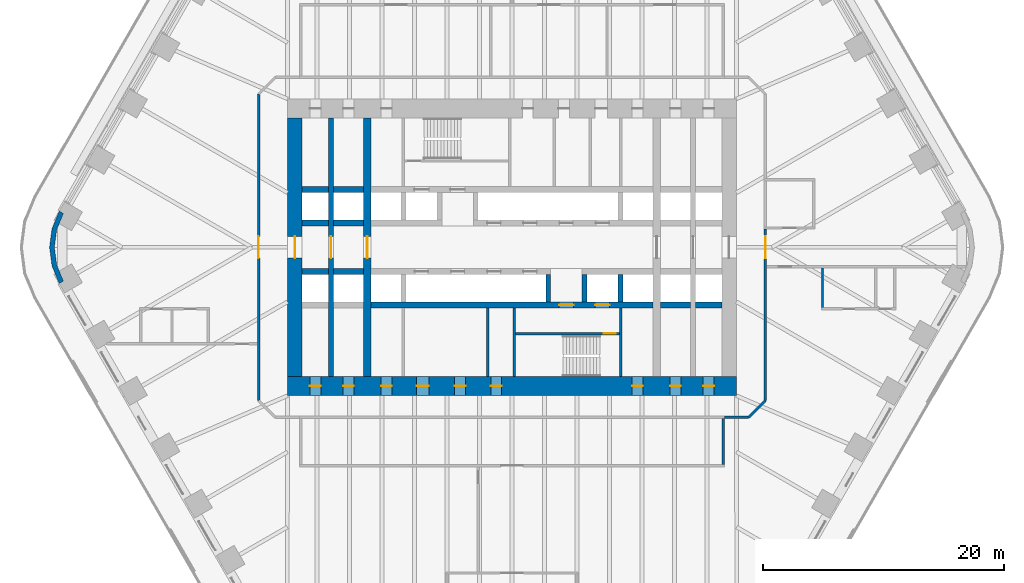
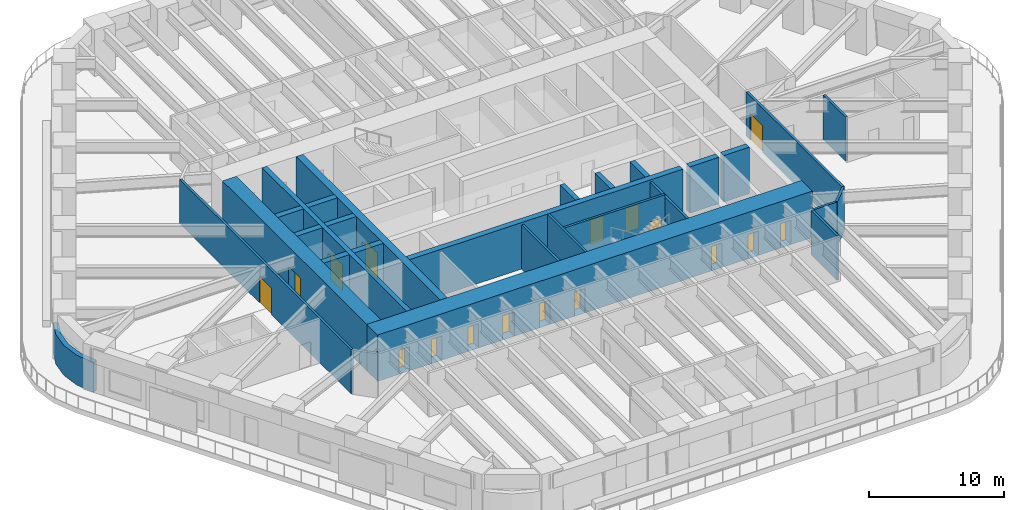
# One storey, part 17 of 23: 27 walls, 17 doors, 17 openings.
"""IFC4 building model written with IfcOpenShell, lengths in metres."""

from ifc_helpers import new_model, si_unit, direction, frame, frame_2d, origin, place, context, subcontext, project, spatial, polyline, rectangle, outline, extrude, material, layer, layer_set, type_object, element, fill, save


model = new_model("IFC4")

# Units and contexts
model_context = context("Model", 3, precision=1e-05, world=origin(), true_north=direction((0.0, 1.0)))
body_context = subcontext(model_context, "Body", "Model", "MODEL_VIEW")
ifc_project = project(units=[si_unit("LENGTHUNIT", "METRE"), si_unit("AREAUNIT", "SQUARE_METRE"), si_unit("VOLUMEUNIT", "CUBIC_METRE"), si_unit("PLANEANGLEUNIT", "RADIAN"), si_unit("MASSUNIT", "GRAM", prefix="KILO")], contexts=[model_context])

# Site, building, storey
site_placement = place(None, origin())
site = spatial("IfcSite", under=ifc_project, at=site_placement, CompositionType="ELEMENT")
building_placement = place(site_placement, origin())
building = spatial("IfcBuilding", under=site, at=building_placement, Name="Tarfa Lantern Tower", CompositionType="ELEMENT")
storey_placement = place(building_placement, frame((0.0, 0.0, 99.10009765625)))
storey = spatial("IfcBuildingStorey", under=building, at=storey_placement, Name="L22", CompositionType="ELEMENT", Elevation=99.10009765625)

# Walls
ifc_material_1 = material(Name="Limestone cladding on blockwork", Category="masonry")
ifc_layer_1 = layer(ifc_material_1, 0.39990234375)
ifc_layer_set_1 = layer_set([ifc_layer_1], Name="EW2 CURVED STONE CORNER 400")
wall_type_1 = type_object("IfcWallType", Name="EW2 CURVED STONE CORNER 400", PredefinedType="SOLIDWALL", material=ifc_layer_set_1)
wall_1_placement = place(storey_placement, origin())
element("IfcWall", 1, at=wall_1_placement, inside=storey, type_object=wall_type_1, Name="Stone corner NW-SW", PredefinedType="SOLIDWALL", context=body_context, shape_type="SweptSolid", body=[
    extrude(outline(polyline([(-37.52783203125, 3.0), (-38.127197265625, 1.552978515625), (-38.33154296875, 0.0), (-38.127197265625, -1.552978515625), (-37.52783203125, -3.0), (-37.181396484375, -2.800048828125), (-37.74072265625, -1.449462890625), (-37.931640625, 0.0), (-37.74072265625, 1.449462890625), (-37.181396484375, 2.800048828125), (-37.52783203125, 3.0)])), origin(), (0.0, 0.0, 1.0), 2.699951171875),
])
ifc_material_2 = material(Name="Concrete blockwork", Category="masonry")
ifc_layer_2 = layer(ifc_material_2, 0.199951171875)
ifc_layer_set_2 = layer_set([ifc_layer_2], Name="IW1 BLOCKWORK PARTITION 200 EI 120")
wall_type_2 = type_object("IfcWallType", Name="IW1 BLOCKWORK PARTITION 200 EI 120", PredefinedType="PARTITIONING", material=ifc_layer_set_2)
for number, where, z_axis, x_axis, name in (
    (2, (9.0, -5.050048828125, 0.0), (0.0, 0.0, 1.0), (0.0, -1.0, 0.0), "Core partition"),
    (3, (-2.0, -5.050048828125, 0.0), (0.0, 0.0, 1.0), (0.0, -1.0, 0.0), "Core partition"),
):
    element("IfcWall", number, at=place(storey_placement, frame(where, z_axis=z_axis, x_axis=x_axis)), inside=storey, type_object=wall_type_2, Name=name, PredefinedType="PARTITIONING", context=body_context, shape_type="SweptSolid", body=[
        extrude(rectangle(XDim=5.64990234375, YDim=0.199951171875, at=frame_2d((2.824951171875, 0.0))), origin(), (0.0, 0.0, 1.0), 4.0),
    ])
ifc_material_3 = material(Name="Gypsum board on steel studs", Category="steel")
ifc_layer_3 = layer(ifc_material_3, 0.2099609375)
ifc_layer_set_3 = layer_set([ifc_layer_3], Name="IW2 ACOUSTIC PARTITION 200")
wall_type_3 = type_object("IfcWallType", Name="IW2 ACOUSTIC PARTITION 200", PredefinedType="PARTITIONING", material=ifc_layer_set_3)
wall_2_placement = place(storey_placement, frame((17.5, -14.199951171875, 0.0), z_axis=(0.0, 0.0, 1.0), x_axis=(0.0, -1.0, 0.0)))
element("IfcWall", 4, at=wall_2_placement, inside=storey, type_object=wall_type_3, Name="Partition", PredefinedType="PARTITIONING", context=body_context, shape_type="SweptSolid", body=[
    extrude(rectangle(XDim=3.800048828125, YDim=0.199951171875, at=frame_2d((1.89990234375, 0.0))), origin(), (0.0, 0.0, 1.0), 4.0),
])

# Wall, opening, door
wall_3_placement = place(storey_placement, frame((21.0, 1.4990234375, 0.0), z_axis=(0.0, 0.0, 1.0), x_axis=(0.0, -1.0, 0.0)))
wall_3 = element("IfcWall", 5, at=wall_3_placement, inside=storey, type_object=wall_type_3, Name="Partition", PredefinedType="PARTITIONING", context=body_context, shape_type="SweptSolid", body=[
    extrude(rectangle(XDim=14.198974609375, YDim=0.199951171875, at=frame_2d((7.099609375, 0.0))), origin(), (0.0, 0.0, 1.0), 4.0),
])
opening_1_placement = place(wall_3_placement, frame((0.59912109375, 0.0, 0.0)))
opening_1 = element("IfcOpeningElement", 6, at=opening_1_placement, cuts=wall_3, Name="Opening D39", PredefinedType="OPENING", context=body_context, shape_type="SweptSolid", body=[
    extrude(rectangle(XDim=1.800048828125, YDim=2.39990234375, at=frame_2d((0.89990234375, 1.199951171875))), frame((0.0, 0.10986328125, 0.0), z_axis=(0.0, -1.0, 0.0), x_axis=(1.0, 0.0, 0.0)), (0.0, 0.0, 1.0), 0.219970703125),
])
ifc_material_4 = material(Name="Timber door", Category="wood")
door_type_1 = type_object("IfcDoorType", Name="DR2 ROOM DOOR 1800x2400", OperationType="DOUBLE_DOOR_SINGLE_SWING", PredefinedType="DOOR", material=ifc_material_4)
door_1_placement = place(opening_1_placement, origin())
door_1 = element("IfcDoor", 7, at=door_1_placement, inside=storey, type_object=door_type_1, Name="Corridor door", OperationType="DOUBLE_DOOR_SINGLE_SWING", OverallHeight=2.39990234375, OverallWidth=1.800048828125, PredefinedType="DOOR", context=body_context, shape_type="SweptSolid", body=[
    extrude(rectangle(XDim=1.800048828125, YDim=2.39990234375, at=frame_2d((0.89990234375, 1.199951171875))), frame((0.0, 0.02490234375, 0.0), z_axis=(0.0, -1.0, 0.0), x_axis=(1.0, 0.0, 0.0)), (0.0, 0.0, 1.0), 0.050048828125),
])
fill(opening_1, door_1)

# Walls
wall_4_placement = place(storey_placement, frame((21.0, -12.699951171875, 0.0), z_axis=(0.0, 0.0, 1.0), x_axis=(-0.707045124756, -0.707168432242, 0.0)))
element("IfcWall", 8, at=wall_4_placement, inside=storey, type_object=wall_type_3, Name="Partition", PredefinedType="PARTITIONING", context=body_context, shape_type="SweptSolid", body=[
    extrude(rectangle(XDim=1.97998046875, YDim=0.199951171875, at=frame_2d((0.989990234375, 0.0))), origin(), (0.0, 0.0, 1.0), 4.0),
])
wall_5_placement = place(storey_placement, frame((19.60009765625, -14.10009765625, 0.0), z_axis=(0.0, 0.0, 1.0), x_axis=(-1.0, 0.0, 0.0)))
element("IfcWall", 9, at=wall_5_placement, inside=storey, type_object=wall_type_3, Name="Partition", PredefinedType="PARTITIONING", context=body_context, shape_type="SweptSolid", body=[
    extrude(rectangle(XDim=2.0, YDim=0.199951171875, at=frame_2d((1.0, 0.0))), origin(), (0.0, 0.0, 1.0), 4.0),
])

# Wall, opening, door
wall_6_placement = place(storey_placement, frame((-21.0, -12.699951171875, 0.0), z_axis=(0.0, 0.0, 1.0), x_axis=(0.0, 1.0, 0.0)))
wall_6 = element("IfcWall", 10, at=wall_6_placement, inside=storey, type_object=wall_type_3, Name="Partition", PredefinedType="PARTITIONING", context=body_context, shape_type="SweptSolid", body=[
    extrude(rectangle(XDim=25.39990234375, YDim=0.199951171875, at=frame_2d((12.699951171875, 0.0))), origin(), (0.0, 0.0, 1.0), 4.0),
])
opening_2_placement = place(wall_6_placement, frame((11.800048828125, 0.0, 0.0)))
opening_2 = element("IfcOpeningElement", 11, at=opening_2_placement, cuts=wall_6, Name="Opening D40", PredefinedType="OPENING", context=body_context, shape_type="SweptSolid", body=[
    extrude(rectangle(XDim=1.800048828125, YDim=2.39990234375, at=frame_2d((0.89990234375, 1.199951171875))), frame((0.0, 0.10986328125, 0.0), z_axis=(0.0, -1.0, 0.0), x_axis=(1.0, 0.0, 0.0)), (0.0, 0.0, 1.0), 0.219970703125),
])
door_2_placement = place(opening_2_placement, origin())
door_2 = element("IfcDoor", 12, at=door_2_placement, inside=storey, type_object=door_type_1, Name="Corridor door", OperationType="DOUBLE_DOOR_SINGLE_SWING", OverallHeight=2.39990234375, OverallWidth=1.800048828125, PredefinedType="DOOR", context=body_context, shape_type="SweptSolid", body=[
    extrude(rectangle(XDim=1.800048828125, YDim=2.39990234375, at=frame_2d((0.89990234375, 1.199951171875))), frame((0.0, 0.02490234375, 0.0), z_axis=(0.0, -1.0, 0.0), x_axis=(1.0, 0.0, 0.0)), (0.0, 0.0, 1.0), 0.050048828125),
])
fill(opening_2, door_2)

# Wall
wall_7_placement = place(storey_placement, frame((25.736572265625, -1.699951171875, 0.0), z_axis=(0.0, 0.0, 1.0), x_axis=(0.0, -1.0, 0.0)))
element("IfcWall", 13, at=wall_7_placement, inside=storey, type_object=wall_type_3, Name="Partition", PredefinedType="PARTITIONING", context=body_context, shape_type="SweptSolid", body=[
    extrude(rectangle(XDim=3.300048828125, YDim=0.199951171875, at=frame_2d((1.64990234375, 0.0))), origin(), (0.0, 0.0, 1.0), 4.0),
])

# Wall, opening, door
ifc_material_5 = material(Name="Concrete C80/95", Category="concrete")
ifc_layer_4 = layer(ifc_material_5, 1.199951171875)
ifc_layer_set_4 = layer_set([ifc_layer_4], Name="SW1 CORE WALL 1200")
wall_type_4 = type_object("IfcWallType", Name="SW1 CORE WALL 1200", PredefinedType="SHEAR", material=ifc_layer_set_4)
wall_8_placement = place(storey_placement, frame((-18.0, 10.699951171875, 0.0), z_axis=(0.0, 0.0, 1.0), x_axis=(0.0, -1.0, 0.0)))
wall_8 = element("IfcWall", 14, at=wall_8_placement, inside=storey, type_object=wall_type_4, Name="Core wall W", PredefinedType="SHEAR", context=body_context, shape_type="SweptSolid", body=[
    extrude(rectangle(XDim=21.39990234375, YDim=1.199951171875, at=frame_2d((10.699951171875, 0.0))), origin(), (0.0, 0.0, 1.0), 4.199951171875),
])
opening_3_placement = place(wall_8_placement, frame((9.800048828125, 0.0, 0.0)))
opening_3 = element("IfcOpeningElement", 15, at=opening_3_placement, cuts=wall_8, Name="Opening D16", PredefinedType="OPENING", context=body_context, shape_type="SweptSolid", body=[
    extrude(rectangle(XDim=1.800048828125, YDim=2.39990234375, at=frame_2d((0.89990234375, 1.199951171875))), frame((0.0, 0.60986328125, 0.0), z_axis=(0.0, -1.0, 0.0), x_axis=(1.0, 0.0, 0.0)), (0.0, 0.0, 1.0), 1.219970703125),
])
ifc_material_6 = material(Name="Steel fire door", Category="steel")
door_type_2 = type_object("IfcDoorType", Name="DL1 LOBBY DOOR 1800x2400", OperationType="DOUBLE_DOOR_SINGLE_SWING", PredefinedType="DOOR", material=ifc_material_6)
door_3_placement = place(opening_3_placement, frame((1.800048828125, 0.0, 0.0), z_axis=(0.0, 0.0, 1.0), x_axis=(-1.0, 0.0, 0.0)))
door_3 = element("IfcDoor", 16, at=door_3_placement, inside=storey, type_object=door_type_2, Name="Lift lobby door", OperationType="DOUBLE_DOOR_SINGLE_SWING", OverallHeight=2.39990234375, OverallWidth=1.800048828125, PredefinedType="DOOR", context=body_context, shape_type="SweptSolid", body=[
    extrude(rectangle(XDim=1.800048828125, YDim=2.39990234375, at=frame_2d((0.89990234375, 1.199951171875))), frame((0.0, 0.02490234375, 0.0), z_axis=(0.0, -1.0, 0.0), x_axis=(1.0, 0.0, 0.0)), (0.0, 0.0, 1.0), 0.050048828125),
])
fill(opening_3, door_3)

# Wall
ifc_layer_5 = layer(ifc_material_5, 0.199951171875)
ifc_layer_set_5 = layer_set([ifc_layer_5], Name="SW12 CORE WALL 200")
wall_type_5 = type_object("IfcWallType", Name="SW12 CORE WALL 200", PredefinedType="SHEAR", material=ifc_layer_set_5)
wall_9_placement = place(storey_placement, frame((0.199951171875, -5.050048828125, 0.0), z_axis=(0.0, 0.0, 1.0), x_axis=(0.0, -1.0, 0.0)))
element("IfcWall", 17, at=wall_9_placement, inside=storey, type_object=wall_type_5, Name="Core wall stair shaft S", PredefinedType="SHEAR", context=body_context, shape_type="SweptSolid", body=[
    extrude(rectangle(XDim=5.64990234375, YDim=0.199951171875, at=frame_2d((2.824951171875, 0.0))), origin(), (0.0, 0.0, 1.0), 4.199951171875),
])

# Wall, opening, door
wall_10_placement = place(storey_placement, frame((8.89990234375, -7.14990234375, 0.0), z_axis=(0.0, 0.0, 1.0), x_axis=(-1.0, 0.0, 0.0)))
wall_10 = element("IfcWall", 18, at=wall_10_placement, inside=storey, type_object=wall_type_5, Name="Core wall stair partition S", PredefinedType="SHEAR", context=body_context, shape_type="SweptSolid", body=[
    extrude(rectangle(XDim=8.599853515625, YDim=0.199951171875, at=frame_2d((4.2998046875, 0.0))), origin(), (0.0, 0.0, 1.0), 4.199951171875),
])
opening_4_placement = place(wall_10_placement, frame((0.300048828125, 0.0, 0.0)))
opening_4 = element("IfcOpeningElement", 19, at=opening_4_placement, cuts=wall_10, Name="Opening D24", PredefinedType="OPENING", context=body_context, shape_type="SweptSolid", body=[
    extrude(rectangle(XDim=1.0, YDim=2.199951171875, at=frame_2d((0.5, 1.10009765625))), frame((0.0, 0.10986328125, 0.0), z_axis=(0.0, -1.0, 0.0), x_axis=(1.0, 0.0, 0.0)), (0.0, 0.0, 1.0), 0.219970703125),
])
door_type_3 = type_object("IfcDoorType", Name="DF2 STAIR DOOR 1000x2200", OperationType="SINGLE_SWING_LEFT", PredefinedType="DOOR", material=ifc_material_6)
door_4_placement = place(opening_4_placement, origin())
door_4 = element("IfcDoor", 20, at=door_4_placement, inside=storey, type_object=door_type_3, Name="Stair door", OperationType="SINGLE_SWING_RIGHT", OverallHeight=2.199951171875, OverallWidth=1.0, PredefinedType="DOOR", context=body_context, shape_type="SweptSolid", body=[
    extrude(rectangle(XDim=1.0, YDim=2.199951171875, at=frame_2d((0.5, 1.10009765625))), frame((0.0, 0.02490234375, 0.0), z_axis=(0.0, -1.0, 0.0), x_axis=(1.0, 0.0, 0.0)), (0.0, 0.0, 1.0), 0.050048828125),
])
fill(opening_4, door_4)

# Walls
ifc_layer_6 = layer(ifc_material_5, 0.5)
ifc_layer_set_6 = layer_set([ifc_layer_6], Name="SW5 CORE WALL 500")
wall_type_6 = type_object("IfcWallType", Name="SW5 CORE WALL 500", PredefinedType="SHEAR", material=ifc_layer_set_6)
wall_11_placement = place(storey_placement, frame((-17.39990234375, 2.0, 0.0), z_axis=(0.0, 0.0, 1.0), x_axis=(1.0, 0.0, 0.0)))
element("IfcWall", 21, at=wall_11_placement, inside=storey, type_object=wall_type_6, Name="Core wall lobby west N", PredefinedType="SHEAR", context=body_context, shape_type="SweptSolid", body=[
    extrude(rectangle(XDim=2.199951171875, YDim=0.5, at=frame_2d((1.10009765625, 0.0))), origin(), (0.0, 0.0, 1.0), 4.199951171875),
])
wall_12_placement = place(storey_placement, frame((-14.800048828125, 2.0, 0.0), z_axis=(0.0, 0.0, 1.0), x_axis=(1.0, 0.0, 0.0)))
element("IfcWall", 22, at=wall_12_placement, inside=storey, type_object=wall_type_6, Name="Core wall lobby west N", PredefinedType="SHEAR", context=body_context, shape_type="SweptSolid", body=[
    extrude(rectangle(XDim=2.5, YDim=0.5, at=frame_2d((1.25, 0.0))), origin(), (0.0, 0.0, 1.0), 4.199951171875),
])
wall_13_placement = place(storey_placement, frame((-17.39990234375, 4.800048828125, 0.0), z_axis=(0.0, 0.0, 1.0), x_axis=(1.0, 0.0, 0.0)))
element("IfcWall", 23, at=wall_13_placement, inside=storey, type_object=wall_type_6, Name="Core wall rear N", PredefinedType="SHEAR", context=body_context, shape_type="SweptSolid", body=[
    extrude(rectangle(XDim=2.199951171875, YDim=0.5, at=frame_2d((1.10009765625, 0.0))), origin(), (0.0, 0.0, 1.0), 4.199951171875),
])
for number, where, z_axis, x_axis, name in (
    (24, (-14.800048828125, 4.800048828125, 0.0), (0.0, 0.0, 1.0), (1.0, 0.0, 0.0), "Core wall rear N"),
    (25, (-12.300048828125, -2.0, 0.0), (0.0, 0.0, 1.0), (-1.0, 0.0, 0.0), "Core wall lobby east S"),
):
    element("IfcWall", number, at=place(storey_placement, frame(where, z_axis=z_axis, x_axis=x_axis)), inside=storey, type_object=wall_type_6, Name=name, PredefinedType="SHEAR", context=body_context, shape_type="SweptSolid", body=[
        extrude(rectangle(XDim=2.5, YDim=0.5, at=frame_2d((1.25, 0.0))), origin(), (0.0, 0.0, 1.0), 4.199951171875),
    ])
for number, where, z_axis, x_axis, name in (
    (26, (-15.199951171875, -2.0, 0.0), (0.0, 0.0, 1.0), (-1.0, 0.0, 0.0), "Core wall lobby east S"),
    (27, (17.39990234375, -4.800048828125, 0.0), (0.0, 0.0, 1.0), (-1.0, 0.0, 0.0), "Core wall rear S"),
):
    element("IfcWall", number, at=place(storey_placement, frame(where, z_axis=z_axis, x_axis=x_axis)), inside=storey, type_object=wall_type_6, Name=name, PredefinedType="SHEAR", context=body_context, shape_type="SweptSolid", body=[
        extrude(rectangle(XDim=2.199951171875, YDim=0.5, at=frame_2d((1.10009765625, 0.0))), origin(), (0.0, 0.0, 1.0), 4.199951171875),
    ])
wall_14_placement = place(storey_placement, frame((14.800048828125, -4.800048828125, 0.0), z_axis=(0.0, 0.0, 1.0), x_axis=(-1.0, 0.0, 0.0)))
element("IfcWall", 28, at=wall_14_placement, inside=storey, type_object=wall_type_6, Name="Core wall rear S", PredefinedType="SHEAR", context=body_context, shape_type="SweptSolid", body=[
    extrude(rectangle(XDim=2.5, YDim=0.5, at=frame_2d((1.25, 0.0))), origin(), (0.0, 0.0, 1.0), 4.199951171875),
])

# Wall, openings, doors
wall_15_placement = place(storey_placement, frame((11.699951171875, -4.800048828125, 0.0), z_axis=(0.0, 0.0, 1.0), x_axis=(-1.0, 0.0, 0.0)))
wall_15 = element("IfcWall", 29, at=wall_15_placement, inside=storey, type_object=wall_type_6, Name="Core wall rear S", PredefinedType="SHEAR", context=body_context, shape_type="SweptSolid", body=[
    extrude(rectangle(XDim=23.39990234375, YDim=0.5, at=frame_2d((11.699951171875, 0.0))), origin(), (0.0, 0.0, 1.0), 4.199951171875),
])
opening_5_placement = place(wall_15_placement, frame((6.60009765625, 0.0, 0.0)))
opening_5 = element("IfcOpeningElement", 30, at=opening_5_placement, cuts=wall_15, Name="Opening D14", PredefinedType="OPENING", context=body_context, shape_type="SweptSolid", body=[
    extrude(rectangle(XDim=1.199951171875, YDim=2.199951171875, at=frame_2d((0.60009765625, 1.10009765625))), frame((0.0, 0.260009765625, 0.0), z_axis=(0.0, -1.0, 0.0), x_axis=(1.0, 0.0, 0.0)), (0.0, 0.0, 1.0), 0.52001953125),
])
opening_6_placement = place(wall_15_placement, frame((3.60009765625, 0.0, 0.0)))
opening_6 = element("IfcOpeningElement", 31, at=opening_6_placement, cuts=wall_15, Name="Opening LD02", PredefinedType="OPENING", context=body_context, shape_type="SweptSolid", body=[
    extrude(rectangle(XDim=1.199951171875, YDim=2.199951171875, at=frame_2d((0.60009765625, 1.10009765625))), frame((0.0, 0.260009765625, 0.0), z_axis=(0.0, -1.0, 0.0), x_axis=(1.0, 0.0, 0.0)), (0.0, 0.0, 1.0), 0.52001953125),
])
door_type_4 = type_object("IfcDoorType", Name="DF1 FIREFIGHTING LOBBY DOOR 1200x2200", OperationType="SINGLE_SWING_LEFT", PredefinedType="DOOR", material=ifc_material_6)
door_5_placement = place(opening_5_placement, origin())
door_5 = element("IfcDoor", 32, at=door_5_placement, inside=storey, type_object=door_type_4, Name="Firefighting lobby door", OperationType="SINGLE_SWING_LEFT", OverallHeight=2.199951171875, OverallWidth=1.199951171875, PredefinedType="DOOR", context=body_context, shape_type="SweptSolid", body=[
    extrude(rectangle(XDim=1.199951171875, YDim=2.199951171875, at=frame_2d((0.60009765625, 1.10009765625))), frame((0.0, 0.02490234375, 0.0), z_axis=(0.0, -1.0, 0.0), x_axis=(1.0, 0.0, 0.0)), (0.0, 0.0, 1.0), 0.050048828125),
])
fill(opening_5, door_5)
ifc_material_7 = material(Name="Stainless steel lift door", Category="steel")
door_type_5 = type_object("IfcDoorType", Name="LD1 LIFT LANDING DOOR 1200x2200", OperationType="SLIDING_TO_LEFT", PredefinedType="DOOR", material=ifc_material_7)
door_6_placement = place(opening_6_placement, origin())
door_6 = element("IfcDoor", 33, at=door_6_placement, inside=storey, type_object=door_type_5, Name="Landing door FL2", OperationType="SLIDING_TO_LEFT", OverallHeight=2.199951171875, OverallWidth=1.199951171875, PredefinedType="DOOR", context=body_context, shape_type="SweptSolid", body=[
    extrude(rectangle(XDim=1.199951171875, YDim=2.199951171875, at=frame_2d((0.60009765625, 1.10009765625))), frame((0.0, 0.02490234375, 0.0), z_axis=(0.0, -1.0, 0.0), x_axis=(1.0, 0.0, 0.0)), (0.0, 0.0, 1.0), 0.050048828125),
])
fill(opening_6, door_6)

# Wall, opening, door
ifc_layer_7 = layer(ifc_material_5, 0.39990234375)
ifc_layer_set_7 = layer_set([ifc_layer_7], Name="SW6 CORE WALL 400")
wall_type_7 = type_object("IfcWallType", Name="SW6 CORE WALL 400", PredefinedType="SHEAR", material=ifc_layer_set_7)
wall_16_placement = place(storey_placement, frame((-15.0, -10.699951171875, 0.0), z_axis=(0.0, 0.0, 1.0), x_axis=(0.0, 1.0, 0.0)))
wall_16 = element("IfcWall", 34, at=wall_16_placement, inside=storey, type_object=wall_type_7, Name="Core wall cross 15 m west", PredefinedType="SHEAR", context=body_context, shape_type="SweptSolid", body=[
    extrude(rectangle(XDim=21.39990234375, YDim=0.39990234375, at=frame_2d((10.699951171875, 0.0))), origin(), (0.0, 0.0, 1.0), 4.199951171875),
])
opening_7_placement = place(wall_16_placement, frame((9.800048828125, 0.0, 0.0)))
opening_7 = element("IfcOpeningElement", 35, at=opening_7_placement, cuts=wall_16, Name="Opening D28", PredefinedType="OPENING", context=body_context, shape_type="SweptSolid", body=[
    extrude(rectangle(XDim=1.800048828125, YDim=2.39990234375, at=frame_2d((0.89990234375, 1.199951171875))), frame((0.0, 0.2099609375, 0.0), z_axis=(0.0, -1.0, 0.0), x_axis=(1.0, 0.0, 0.0)), (0.0, 0.0, 1.0), 0.419921875),
])
door_7_placement = place(opening_7_placement, origin())
door_7 = element("IfcDoor", 36, at=door_7_placement, inside=storey, type_object=door_type_2, Name="Lift lobby door", OperationType="DOUBLE_DOOR_SINGLE_SWING", OverallHeight=2.39990234375, OverallWidth=1.800048828125, PredefinedType="DOOR", context=body_context, shape_type="SweptSolid", body=[
    extrude(rectangle(XDim=1.800048828125, YDim=2.39990234375, at=frame_2d((0.89990234375, 1.199951171875))), frame((0.0, 0.02490234375, 0.0), z_axis=(0.0, -1.0, 0.0), x_axis=(1.0, 0.0, 0.0)), (0.0, 0.0, 1.0), 0.050048828125),
])
fill(opening_7, door_7)

# Walls
for number, where, z_axis, x_axis, name in (
    (37, (9.0, -2.25, 0.0), (0.0, 0.0, 1.0), (0.0, -1.0, 0.0), "Core wall divider S"),
    (38, (6.0, -2.25, 0.0), (0.0, 0.0, 1.0), (0.0, -1.0, 0.0), "Core wall divider S"),
    (39, (3.0, -2.25, 0.0), (0.0, 0.0, 1.0), (0.0, -1.0, 0.0), "Core wall divider S"),
):
    element("IfcWall", number, at=place(storey_placement, frame(where, z_axis=z_axis, x_axis=x_axis)), inside=storey, type_object=wall_type_7, Name=name, PredefinedType="SHEAR", context=body_context, shape_type="SweptSolid", body=[
        extrude(rectangle(XDim=2.300048828125, YDim=0.39990234375, at=frame_2d((1.14990234375, 0.0))), origin(), (0.0, 0.0, 1.0), 4.199951171875),
    ])

# Wall, openings, doors
ifc_layer_8 = layer(ifc_material_5, 1.60009765625)
ifc_layer_set_8 = layer_set([ifc_layer_8], Name="SW7 CORE WALL 1600")
wall_type_8 = type_object("IfcWallType", Name="SW7 CORE WALL 1600", PredefinedType="SHEAR", material=ifc_layer_set_8)
wall_17_placement = place(storey_placement, frame((18.60009765625, -11.5, 0.0), z_axis=(0.0, 0.0, 1.0), x_axis=(-1.0, 0.0, 0.0)))
wall_17 = element("IfcWall", 40, at=wall_17_placement, inside=storey, type_object=wall_type_8, Name="Core wall S", PredefinedType="SHEAR", context=body_context, shape_type="SweptSolid", body=[
    extrude(rectangle(XDim=37.2001953125, YDim=1.60009765625, at=frame_2d((18.60009765625, 0.0))), origin(), (0.0, 0.0, 1.0), 4.199951171875),
])
opening_8_placement = place(wall_17_placement, frame((19.449951171875, 0.0, 0.0)))
opening_8 = element("IfcOpeningElement", 41, at=opening_8_placement, cuts=wall_17, Name="Opening D18", PredefinedType="OPENING", context=body_context, shape_type="SweptSolid", body=[
    extrude(rectangle(XDim=0.89990234375, YDim=2.199951171875, at=frame_2d((0.449951171875, 1.10009765625))), frame((0.0, 0.81005859375, 0.0), z_axis=(0.0, -1.0, 0.0), x_axis=(1.0, 0.0, 0.0)), (0.0, 0.0, 1.0), 1.6201171875),
])
opening_9_placement = place(wall_17_placement, frame((22.449951171875, 0.0, 0.0)))
opening_9 = element("IfcOpeningElement", 42, at=opening_9_placement, cuts=wall_17, Name="Opening D20", PredefinedType="OPENING", context=body_context, shape_type="SweptSolid", body=[
    extrude(rectangle(XDim=0.89990234375, YDim=2.199951171875, at=frame_2d((0.449951171875, 1.10009765625))), frame((0.0, 0.81005859375, 0.0), z_axis=(0.0, -1.0, 0.0), x_axis=(1.0, 0.0, 0.0)), (0.0, 0.0, 1.0), 1.6201171875),
])
opening_10_placement = place(wall_17_placement, frame((25.5, 0.0, 0.0)))
opening_10 = element("IfcOpeningElement", 43, at=opening_10_placement, cuts=wall_17, Name="Opening D22", PredefinedType="OPENING", context=body_context, shape_type="SweptSolid", body=[
    extrude(rectangle(XDim=1.0, YDim=2.199951171875, at=frame_2d((0.5, 1.10009765625))), frame((0.0, 0.81005859375, 0.0), z_axis=(0.0, -1.0, 0.0), x_axis=(1.0, 0.0, 0.0)), (0.0, 0.0, 1.0), 1.6201171875),
])
opening_11_placement = place(wall_17_placement, frame((1.85009765625, 0.0, 0.0)))
opening_11 = element("IfcOpeningElement", 44, at=opening_11_placement, cuts=wall_17, Name="Opening D12", PredefinedType="OPENING", context=body_context, shape_type="SweptSolid", body=[
    extrude(rectangle(XDim=0.89990234375, YDim=2.199951171875, at=frame_2d((0.449951171875, 1.10009765625))), frame((0.0, 0.81005859375, 0.0), z_axis=(0.0, -1.0, 0.0), x_axis=(1.0, 0.0, 0.0)), (0.0, 0.0, 1.0), 1.6201171875),
])
opening_12_placement = place(wall_17_placement, frame((4.60009765625, 0.0, 0.0)))
opening_12 = element("IfcOpeningElement", 45, at=opening_12_placement, cuts=wall_17, Name="Opening D08", PredefinedType="OPENING", context=body_context, shape_type="SweptSolid", body=[
    extrude(rectangle(XDim=0.89990234375, YDim=2.199951171875, at=frame_2d((0.449951171875, 1.10009765625))), frame((0.0, 0.81005859375, 0.0), z_axis=(0.0, -1.0, 0.0), x_axis=(1.0, 0.0, 0.0)), (0.0, 0.0, 1.0), 1.6201171875),
])
opening_13_placement = place(wall_17_placement, frame((7.75, 0.0, 0.0)))
opening_13 = element("IfcOpeningElement", 46, at=opening_13_placement, cuts=wall_17, Name="Opening D10", PredefinedType="OPENING", context=body_context, shape_type="SweptSolid", body=[
    extrude(rectangle(XDim=0.89990234375, YDim=2.199951171875, at=frame_2d((0.449951171875, 1.10009765625))), frame((0.0, 0.81005859375, 0.0), z_axis=(0.0, -1.0, 0.0), x_axis=(1.0, 0.0, 0.0)), (0.0, 0.0, 1.0), 1.6201171875),
])
opening_14_placement = place(wall_17_placement, frame((28.550048828125, 0.0, 0.0)))
opening_14 = element("IfcOpeningElement", 47, at=opening_14_placement, cuts=wall_17, Name="Opening D06", PredefinedType="OPENING", context=body_context, shape_type="SweptSolid", body=[
    extrude(rectangle(XDim=0.89990234375, YDim=2.199951171875, at=frame_2d((0.449951171875, 1.10009765625))), frame((0.0, 0.81005859375, 0.0), z_axis=(0.0, -1.0, 0.0), x_axis=(1.0, 0.0, 0.0)), (0.0, 0.0, 1.0), 1.6201171875),
])
opening_15_placement = place(wall_17_placement, frame((31.699951171875, 0.0, 0.0)))
opening_15 = element("IfcOpeningElement", 48, at=opening_15_placement, cuts=wall_17, Name="Opening D02", PredefinedType="OPENING", context=body_context, shape_type="SweptSolid", body=[
    extrude(rectangle(XDim=0.89990234375, YDim=2.199951171875, at=frame_2d((0.449951171875, 1.10009765625))), frame((0.0, 0.81005859375, 0.0), z_axis=(0.0, -1.0, 0.0), x_axis=(1.0, 0.0, 0.0)), (0.0, 0.0, 1.0), 1.6201171875),
])
opening_16_placement = place(wall_17_placement, frame((34.449951171875, 0.0, 0.0)))
opening_16 = element("IfcOpeningElement", 49, at=opening_16_placement, cuts=wall_17, Name="Opening D04", PredefinedType="OPENING", context=body_context, shape_type="SweptSolid", body=[
    extrude(rectangle(XDim=0.89990234375, YDim=2.199951171875, at=frame_2d((0.449951171875, 1.10009765625))), frame((0.0, 0.81005859375, 0.0), z_axis=(0.0, -1.0, 0.0), x_axis=(1.0, 0.0, 0.0)), (0.0, 0.0, 1.0), 1.6201171875),
])
door_type_6 = type_object("IfcDoorType", Name="DF3 CORE ROOM DOOR 900x2200", OperationType="SINGLE_SWING_LEFT", PredefinedType="DOOR", material=ifc_material_6)
door_8_placement = place(opening_8_placement, frame((0.89990234375, 0.0, 0.0), z_axis=(0.0, 0.0, 1.0), x_axis=(-1.0, 0.0, 0.0)))
door_8 = element("IfcDoor", 50, at=door_8_placement, inside=storey, type_object=door_type_6, Name="Core door", OperationType="SINGLE_SWING_RIGHT", OverallHeight=2.199951171875, OverallWidth=0.89990234375, PredefinedType="DOOR", context=body_context, shape_type="SweptSolid", body=[
    extrude(rectangle(XDim=0.89990234375, YDim=2.199951171875, at=frame_2d((0.449951171875, 1.10009765625))), frame((0.0, 0.02490234375, 0.0), z_axis=(0.0, -1.0, 0.0), x_axis=(1.0, 0.0, 0.0)), (0.0, 0.0, 1.0), 0.050048828125),
])
fill(opening_8, door_8)
door_9_placement = place(opening_9_placement, frame((0.89990234375, 0.0, 0.0), z_axis=(0.0, 0.0, 1.0), x_axis=(-1.0, 0.0, 0.0)))
door_9 = element("IfcDoor", 51, at=door_9_placement, inside=storey, type_object=door_type_6, Name="Core door", OperationType="SINGLE_SWING_LEFT", OverallHeight=2.199951171875, OverallWidth=0.89990234375, PredefinedType="DOOR", context=body_context, shape_type="SweptSolid", body=[
    extrude(rectangle(XDim=0.89990234375, YDim=2.199951171875, at=frame_2d((0.449951171875, 1.10009765625))), frame((0.0, 0.02490234375, 0.0), z_axis=(0.0, -1.0, 0.0), x_axis=(1.0, 0.0, 0.0)), (0.0, 0.0, 1.0), 0.050048828125),
])
fill(opening_9, door_9)
door_type_7 = type_object("IfcDoorType", Name="DF4 CORE ROOM DOOR 1000x2200", OperationType="SINGLE_SWING_LEFT", PredefinedType="DOOR", material=ifc_material_6)
door_10_placement = place(opening_10_placement, frame((1.0, 0.0, 0.0), z_axis=(0.0, 0.0, 1.0), x_axis=(-1.0, 0.0, 0.0)))
door_10 = element("IfcDoor", 52, at=door_10_placement, inside=storey, type_object=door_type_7, Name="Core door", OperationType="SINGLE_SWING_RIGHT", OverallHeight=2.199951171875, OverallWidth=1.0, PredefinedType="DOOR", context=body_context, shape_type="SweptSolid", body=[
    extrude(rectangle(XDim=1.0, YDim=2.199951171875, at=frame_2d((0.5, 1.10009765625))), frame((0.0, 0.02490234375, 0.0), z_axis=(0.0, -1.0, 0.0), x_axis=(1.0, 0.0, 0.0)), (0.0, 0.0, 1.0), 0.050048828125),
])
fill(opening_10, door_10)
door_type_8 = type_object("IfcDoorType", Name="DF5 RISER DOOR 900x2200", OperationType="SINGLE_SWING_LEFT", PredefinedType="DOOR", material=ifc_material_6)
door_11_placement = place(opening_11_placement, frame((0.89990234375, 0.0, 0.0), z_axis=(0.0, 0.0, 1.0), x_axis=(-1.0, 0.0, 0.0)))
door_11 = element("IfcDoor", 53, at=door_11_placement, inside=storey, type_object=door_type_8, Name="Riser door", OperationType="SINGLE_SWING_LEFT", OverallHeight=2.199951171875, OverallWidth=0.89990234375, PredefinedType="DOOR", context=body_context, shape_type="SweptSolid", body=[
    extrude(rectangle(XDim=0.89990234375, YDim=2.199951171875, at=frame_2d((0.449951171875, 1.10009765625))), frame((0.0, 0.02490234375, 0.0), z_axis=(0.0, -1.0, 0.0), x_axis=(1.0, 0.0, 0.0)), (0.0, 0.0, 1.0), 0.050048828125),
])
fill(opening_11, door_11)
door_12_placement = place(opening_12_placement, frame((0.89990234375, 0.0, 0.0), z_axis=(0.0, 0.0, 1.0), x_axis=(-1.0, 0.0, 0.0)))
door_12 = element("IfcDoor", 54, at=door_12_placement, inside=storey, type_object=door_type_8, Name="Riser door", OperationType="SINGLE_SWING_LEFT", OverallHeight=2.199951171875, OverallWidth=0.89990234375, PredefinedType="DOOR", context=body_context, shape_type="SweptSolid", body=[
    extrude(rectangle(XDim=0.89990234375, YDim=2.199951171875, at=frame_2d((0.449951171875, 1.10009765625))), frame((0.0, 0.02490234375, 0.0), z_axis=(0.0, -1.0, 0.0), x_axis=(1.0, 0.0, 0.0)), (0.0, 0.0, 1.0), 0.050048828125),
])
fill(opening_12, door_12)
door_13_placement = place(opening_13_placement, frame((0.89990234375, 0.0, 0.0), z_axis=(0.0, 0.0, 1.0), x_axis=(-1.0, 0.0, 0.0)))
door_13 = element("IfcDoor", 55, at=door_13_placement, inside=storey, type_object=door_type_8, Name="Riser door", OperationType="SINGLE_SWING_LEFT", OverallHeight=2.199951171875, OverallWidth=0.89990234375, PredefinedType="DOOR", context=body_context, shape_type="SweptSolid", body=[
    extrude(rectangle(XDim=0.89990234375, YDim=2.199951171875, at=frame_2d((0.449951171875, 1.10009765625))), frame((0.0, 0.02490234375, 0.0), z_axis=(0.0, -1.0, 0.0), x_axis=(1.0, 0.0, 0.0)), (0.0, 0.0, 1.0), 0.050048828125),
])
fill(opening_13, door_13)
door_14_placement = place(opening_14_placement, frame((0.89990234375, 0.0, 0.0), z_axis=(0.0, 0.0, 1.0), x_axis=(-1.0, 0.0, 0.0)))
door_14 = element("IfcDoor", 56, at=door_14_placement, inside=storey, type_object=door_type_8, Name="Riser door", OperationType="SINGLE_SWING_RIGHT", OverallHeight=2.199951171875, OverallWidth=0.89990234375, PredefinedType="DOOR", context=body_context, shape_type="SweptSolid", body=[
    extrude(rectangle(XDim=0.89990234375, YDim=2.199951171875, at=frame_2d((0.449951171875, 1.10009765625))), frame((0.0, 0.02490234375, 0.0), z_axis=(0.0, -1.0, 0.0), x_axis=(1.0, 0.0, 0.0)), (0.0, 0.0, 1.0), 0.050048828125),
])
fill(opening_14, door_14)
door_15_placement = place(opening_15_placement, frame((0.89990234375, 0.0, 0.0), z_axis=(0.0, 0.0, 1.0), x_axis=(-1.0, 0.0, 0.0)))
door_15 = element("IfcDoor", 57, at=door_15_placement, inside=storey, type_object=door_type_8, Name="Riser door", OperationType="SINGLE_SWING_RIGHT", OverallHeight=2.199951171875, OverallWidth=0.89990234375, PredefinedType="DOOR", context=body_context, shape_type="SweptSolid", body=[
    extrude(rectangle(XDim=0.89990234375, YDim=2.199951171875, at=frame_2d((0.449951171875, 1.10009765625))), frame((0.0, 0.02490234375, 0.0), z_axis=(0.0, -1.0, 0.0), x_axis=(1.0, 0.0, 0.0)), (0.0, 0.0, 1.0), 0.050048828125),
])
fill(opening_15, door_15)
door_16_placement = place(opening_16_placement, frame((0.89990234375, 0.0, 0.0), z_axis=(0.0, 0.0, 1.0), x_axis=(-1.0, 0.0, 0.0)))
door_16 = element("IfcDoor", 58, at=door_16_placement, inside=storey, type_object=door_type_8, Name="Riser door", OperationType="SINGLE_SWING_RIGHT", OverallHeight=2.199951171875, OverallWidth=0.89990234375, PredefinedType="DOOR", context=body_context, shape_type="SweptSolid", body=[
    extrude(rectangle(XDim=0.89990234375, YDim=2.199951171875, at=frame_2d((0.449951171875, 1.10009765625))), frame((0.0, 0.02490234375, 0.0), z_axis=(0.0, -1.0, 0.0), x_axis=(1.0, 0.0, 0.0)), (0.0, 0.0, 1.0), 0.050048828125),
])
fill(opening_16, door_16)

# Wall, opening, door
ifc_layer_9 = layer(ifc_material_5, 0.60009765625)
ifc_layer_set_9 = layer_set([ifc_layer_9], Name="SW9 CORE WALL 600")
wall_type_9 = type_object("IfcWallType", Name="SW9 CORE WALL 600", PredefinedType="SHEAR", material=ifc_layer_set_9)
wall_18_placement = place(storey_placement, frame((-12.0, -10.699951171875, 0.0), z_axis=(0.0, 0.0, 1.0), x_axis=(0.0, 1.0, 0.0)))
wall_18 = element("IfcWall", 59, at=wall_18_placement, inside=storey, type_object=wall_type_9, Name="Core wall cross 12 m west", PredefinedType="SHEAR", context=body_context, shape_type="SweptSolid", body=[
    extrude(rectangle(XDim=21.39990234375, YDim=0.60009765625, at=frame_2d((10.699951171875, 0.0))), origin(), (0.0, 0.0, 1.0), 4.199951171875),
])
opening_17_placement = place(wall_18_placement, frame((9.800048828125, 0.0, 0.0)))
opening_17 = element("IfcOpeningElement", 60, at=opening_17_placement, cuts=wall_18, Name="Opening D27", PredefinedType="OPENING", context=body_context, shape_type="SweptSolid", body=[
    extrude(rectangle(XDim=1.800048828125, YDim=2.39990234375, at=frame_2d((0.89990234375, 1.199951171875))), frame((0.0, 0.31005859375, 0.0), z_axis=(0.0, -1.0, 0.0), x_axis=(1.0, 0.0, 0.0)), (0.0, 0.0, 1.0), 0.6201171875),
])
door_17_placement = place(opening_17_placement, origin())
door_17 = element("IfcDoor", 61, at=door_17_placement, inside=storey, type_object=door_type_2, Name="Lift lobby door", OperationType="DOUBLE_DOOR_SINGLE_SWING", OverallHeight=2.39990234375, OverallWidth=1.800048828125, PredefinedType="DOOR", context=body_context, shape_type="SweptSolid", body=[
    extrude(rectangle(XDim=1.800048828125, YDim=2.39990234375, at=frame_2d((0.89990234375, 1.199951171875))), frame((0.0, 0.02490234375, 0.0), z_axis=(0.0, -1.0, 0.0), x_axis=(1.0, 0.0, 0.0)), (0.0, 0.0, 1.0), 0.050048828125),
])
fill(opening_17, door_17)

save(model, "model.ifc")
